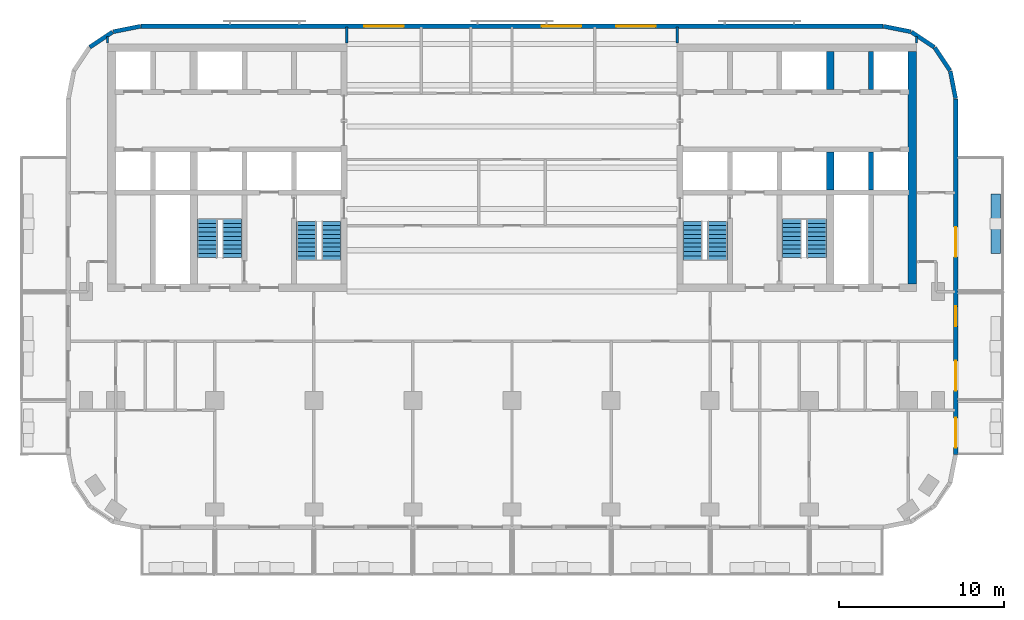
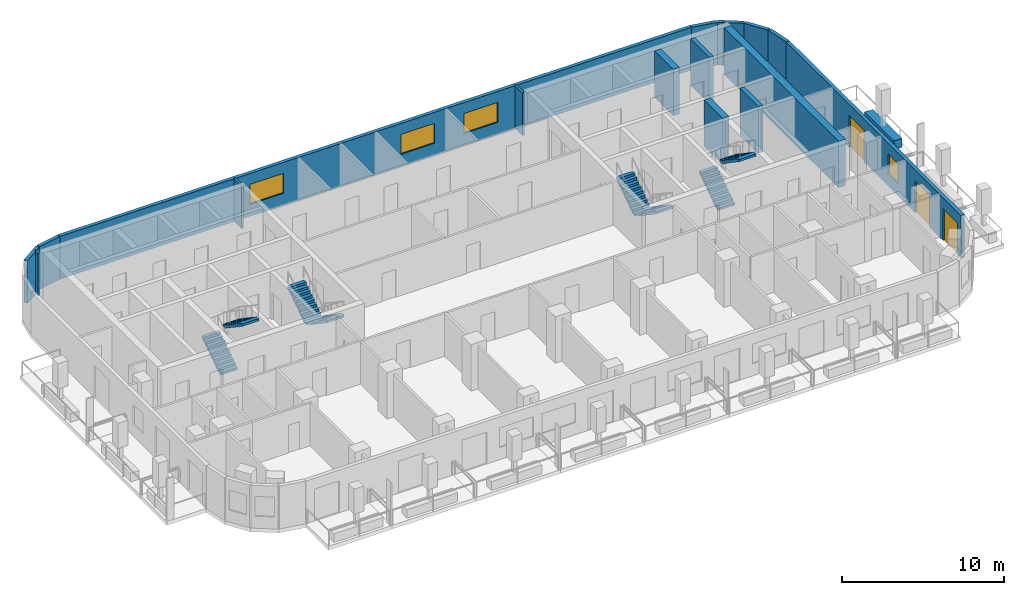
# One storey, part 7 of 11: 18 walls, 8 stair flights, 4 windows, 3 doors, 7 openings, 4 elements without a shape of their own.
"""IFC4 building model written with IfcOpenShell, lengths in metres."""

from ifc_helpers import new_model, si_unit, direction, frame, frame_2d, origin, place, context, subcontext, project, spatial, polyline, rectangle, outline, extrude, material, layer, layer_set, type_object, element, fill, aggregate, save


model = new_model("IFC4")

# Units and contexts
model_context = context("Model", 3, precision=1e-05, world=origin(), true_north=direction((0.0, 1.0)))
body_context = subcontext(model_context, "Body", "Model", "MODEL_VIEW")
ifc_project = project(units=[si_unit("LENGTHUNIT", "METRE"), si_unit("AREAUNIT", "SQUARE_METRE"), si_unit("VOLUMEUNIT", "CUBIC_METRE"), si_unit("PLANEANGLEUNIT", "RADIAN"), si_unit("MASSUNIT", "GRAM", prefix="KILO")], contexts=[model_context])

# Site, building, storey
site_placement = place(None, origin())
site = spatial("IfcSite", under=ifc_project, at=site_placement, CompositionType="ELEMENT")
building_placement = place(site_placement, origin())
building = spatial("IfcBuilding", under=site, at=building_placement, Name="Torana Hotel and Residences", CompositionType="ELEMENT")
storey_placement = place(building_placement, frame((0.0, 0.0, 194.10009765625)))
storey = spatial("IfcBuildingStorey", under=building, at=storey_placement, Name="L50", CompositionType="ELEMENT", Elevation=194.10009765625)

# Walls
ifc_material_1 = material(Name="Concrete C70/85", Category="concrete")
ifc_layer_1 = layer(ifc_material_1, 0.300048828125)
ifc_layer_set_1 = layer_set([ifc_layer_1], Name="CORE WALL 300 C70/85")
wall_type_1 = type_object("IfcWallType", Name="CORE WALL 300 C70/85", PredefinedType="SHEAR", material=ifc_layer_set_1)
for number, where, z_axis, x_axis, name in (
    (1, (21.75, -2.75, 0.0), (0.0, 0.0, 1.0), (0.0, 1.0, 0.0), "Core wall E mm-N"),
    (2, (21.75, -8.85009765625, 0.0), (0.0, 0.0, 1.0), (0.0, 1.0, 0.0), "Core wall E mm-S"),
):
    element("IfcWall", number, at=place(storey_placement, frame(where, z_axis=z_axis, x_axis=x_axis)), inside=storey, type_object=wall_type_1, Name=name, PredefinedType="SHEAR", context=body_context, shape_type="SweptSolid", body=[
        extrude(rectangle(XDim=2.300048828125, YDim=0.300048828125, at=frame_2d((1.14990234375, 0.0))), origin(), (0.0, 0.0, 1.0), 3.5),
    ])
ifc_material_2 = material(Name="Concrete C70/85", Category="concrete")
ifc_layer_2 = layer(ifc_material_2, 0.449951171875)
ifc_layer_set_2 = layer_set([ifc_layer_2], Name="CORE WALL 450 C70/85")
wall_type_2 = type_object("IfcWallType", Name="CORE WALL 450 C70/85", PredefinedType="SHEAR", material=ifc_layer_set_2)
for number, where, z_axis, x_axis, name in (
    (3, (19.27490234375, -2.75, 0.0), (0.0, 0.0, 1.0), (0.0, 1.0, 0.0), "Core wall E hm-N"),
    (4, (19.27490234375, -8.85009765625, 0.0), (0.0, 0.0, 1.0), (0.0, 1.0, 0.0), "Core wall E hm-S"),
):
    element("IfcWall", number, at=place(storey_placement, frame(where, z_axis=z_axis, x_axis=x_axis)), inside=storey, type_object=wall_type_2, Name=name, PredefinedType="SHEAR", context=body_context, shape_type="SweptSolid", body=[
        extrude(rectangle(XDim=2.300048828125, YDim=0.449951171875, at=frame_2d((1.14990234375, 0.0))), origin(), (0.0, 0.0, 1.0), 3.5),
    ])
ifc_material_3 = material(Name="Concrete C70/85", Category="concrete")
ifc_layer_3 = layer(ifc_material_3, 0.5)
ifc_layer_set_3 = layer_set([ifc_layer_3], Name="CORE WALL 500 C70/85")
wall_type_3 = type_object("IfcWallType", Name="CORE WALL 500 C70/85", PredefinedType="SHEAR", material=ifc_layer_set_3)
wall_1_placement = place(storey_placement, frame((24.25, -14.550048828125, 0.0), z_axis=(0.0, 0.0, 1.0), x_axis=(0.0, 1.0, 0.0)))
element("IfcWall", 5, at=wall_1_placement, inside=storey, type_object=wall_type_3, Name="Core wall E outer", PredefinedType="SHEAR", context=body_context, shape_type="SweptSolid", body=[
    extrude(rectangle(XDim=14.10009765625, YDim=0.5, at=frame_2d((7.050048828125, 0.0))), origin(), (0.0, 0.0, 1.0), 3.5),
])
ifc_material_4 = material(Name="Black aluminium composite panel", Category="aluminium")
ifc_layer_4 = layer(ifc_material_4, 0.00390625, Name="Cladding", Category="cladding")
ifc_material_5 = material(Name="Ventilated air cavity")
ifc_layer_5 = layer(ifc_material_5, 0.0400390625, Name="Ventilated cavity", Category="cavity")
ifc_material_6 = material(Name="Mineral wool insulation")
ifc_layer_6 = layer(ifc_material_6, 0.090087890625, Name="Insulation", Category="insulation")
ifc_material_7 = material(Name="Steel S280GD", Category="steel")
ifc_layer_7 = layer(ifc_material_7, 0.092041015625, Name="Steel stud frame", Category="structure")
ifc_material_8 = material(Name="Fire rated plasterboard")
ifc_layer_8 = layer(ifc_material_8, 0.011962890625, Name="Inner board", Category="finish")
ifc_layer_9 = layer(ifc_material_8, 0.011962890625, Name="Second board", Category="finish")
ifc_layer_set_4 = layer_set([ifc_layer_4, ifc_layer_5, ifc_layer_6, ifc_layer_7, ifc_layer_8, ifc_layer_9], Name="EW1 EXTERNAL WALL BLACK METAL CLAD 250")
wall_type_4 = type_object("IfcWallType", Name="EW1 EXTERNAL WALL BLACK METAL CLAD 250", PredefinedType="SOLIDWALL", material=ifc_layer_set_4)
wall_2_placement = place(storey_placement, frame((26.87255859375, -3.30029296875, 0.0), z_axis=(0.0, 0.0, 1.0), x_axis=(-0.194999110559, 0.980803419081, 0.0)))
element("IfcWall", 6, at=wall_2_placement, inside=storey, type_object=wall_type_4, Name="External wall L50 e0.0", PredefinedType="SOLIDWALL", context=body_context, shape_type="SweptSolid", body=[
    extrude(rectangle(XDim=1.681396484375, YDim=0.25, at=frame_2d((0.8408203125, 0.0))), origin(), (0.0, 0.0, 1.0), 3.219970703125),
])
for number, where, z_axis, x_axis, name in (
    (7, (26.52587890625, -1.60595703125, 0.0), (0.0, 0.0, 1.0), (-0.55555029066, 0.831482937015, 0.0), "External wall L50 e0.1"),
    (8, (25.5712890625, -0.1943359375, 0.0), (0.0, 0.0, 1.0), (-0.831482937015, 0.55555029066, 0.0), "External wall L50 e0.2"),
):
    element("IfcWall", number, at=place(storey_placement, frame(where, z_axis=z_axis, x_axis=x_axis)), inside=storey, type_object=wall_type_4, Name=name, PredefinedType="SOLIDWALL", context=body_context, shape_type="SweptSolid", body=[
        extrude(rectangle(XDim=1.65625, YDim=0.25, at=frame_2d((0.828125, 0.0))), origin(), (0.0, 0.0, 1.0), 3.219970703125),
    ])
for number, where, z_axis, x_axis, name in (
    (9, (24.14892578125, 0.74462890625, 0.0), (0.0, 0.0, 1.0), (-0.980803419081, 0.194999110559, 0.0), "External wall L50 e0.3"),
    (10, (-22.499755859375, 1.072509765625, 0.0), (0.0, 0.0, 1.0), (-0.980803419081, -0.194999110559, 0.0), "External wall L50 e0.5"),
):
    element("IfcWall", number, at=place(storey_placement, frame(where, z_axis=z_axis, x_axis=x_axis)), inside=storey, type_object=wall_type_4, Name=name, PredefinedType="SOLIDWALL", context=body_context, shape_type="SweptSolid", body=[
        extrude(rectangle(XDim=1.681396484375, YDim=0.25, at=frame_2d((0.8408203125, 0.0))), origin(), (0.0, 0.0, 1.0), 3.219970703125),
    ])
wall_3_placement = place(storey_placement, frame((-24.194091796875, 0.725830078125, 0.0), z_axis=(0.0, 0.0, 1.0), x_axis=(-0.831482937015, -0.55555029066, 0.0)))
element("IfcWall", 11, at=wall_3_placement, inside=storey, type_object=wall_type_4, Name="External wall L50 e0.6", PredefinedType="SOLIDWALL", context=body_context, shape_type="SweptSolid", body=[
    extrude(rectangle(XDim=1.65625, YDim=0.25, at=frame_2d((0.828125, 0.0))), origin(), (0.0, 0.0, 1.0), 3.219970703125),
])

# Wall, openings, doors, window
wall_4_placement = place(storey_placement, frame((26.875, -24.87548828125, 0.0), z_axis=(0.0, 0.0, 1.0), x_axis=(0.0, 1.0, 0.0)))
wall_4 = element("IfcWall", 12, at=wall_4_placement, inside=storey, type_object=wall_type_4, Name="External wall L50 e0.19", PredefinedType="SOLIDWALL", context=body_context, shape_type="SweptSolid", body=[
    extrude(rectangle(XDim=21.55078125, YDim=0.25, at=frame_2d((10.775390625, 0.0))), origin(), (0.0, 0.0, 1.0), 3.219970703125),
])
opening_1_placement = place(wall_4_placement, frame((0.42529296875, 0.0, 0.0)))
opening_1 = element("IfcOpeningElement", 13, at=opening_1_placement, cuts=wall_4, Name="Opening L50-E09", PredefinedType="OPENING", context=body_context, shape_type="SweptSolid", body=[
    extrude(rectangle(XDim=1.800048828125, YDim=2.39990234375, at=frame_2d((0.89990234375, 1.199951171875))), frame((0.0, 0.135009765625, 0.0), z_axis=(0.0, -1.0, 0.0), x_axis=(1.0, 0.0, 0.0)), (0.0, 0.0, 1.0), 0.27001953125),
])
opening_2_placement = place(wall_4_placement, frame((3.87548828125, 0.0, 0.0)))
opening_2 = element("IfcOpeningElement", 14, at=opening_2_placement, cuts=wall_4, Name="Opening L50-E10", PredefinedType="OPENING", context=body_context, shape_type="SweptSolid", body=[
    extrude(rectangle(XDim=1.800048828125, YDim=2.39990234375, at=frame_2d((0.89990234375, 1.199951171875))), frame((0.0, 0.135009765625, 0.0), z_axis=(0.0, -1.0, 0.0), x_axis=(1.0, 0.0, 0.0)), (0.0, 0.0, 1.0), 0.27001953125),
])
opening_3_placement = place(wall_4_placement, frame((7.775390625, 0.0, 0.89990234375)))
opening_3 = element("IfcOpeningElement", 15, at=opening_3_placement, cuts=wall_4, Name="Opening W5", PredefinedType="OPENING", context=body_context, shape_type="SweptSolid", body=[
    extrude(rectangle(XDim=1.199951171875, YDim=1.5, at=frame_2d((0.60009765625, 0.75))), frame((0.0, 0.135009765625, 0.0), z_axis=(0.0, -1.0, 0.0), x_axis=(1.0, 0.0, 0.0)), (0.0, 0.0, 1.0), 0.27001953125),
])
opening_4_placement = place(wall_4_placement, frame((11.975341796875, 0.0, 0.0)))
opening_4 = element("IfcOpeningElement", 16, at=opening_4_placement, cuts=wall_4, Name="Opening L50-E11", PredefinedType="OPENING", context=body_context, shape_type="SweptSolid", body=[
    extrude(rectangle(XDim=1.800048828125, YDim=2.39990234375, at=frame_2d((0.89990234375, 1.199951171875))), frame((0.0, 0.135009765625, 0.0), z_axis=(0.0, -1.0, 0.0), x_axis=(1.0, 0.0, 0.0)), (0.0, 0.0, 1.0), 0.27001953125),
])
ifc_material_9 = material(Name="Dark glass in black aluminium frame", Category="aluminium")
door_type = type_object("IfcDoorType", Name="DB1 BALCONY DOOR 1800x2400", OperationType="DOUBLE_DOOR_SINGLE_SWING", PredefinedType="DOOR", material=ifc_material_9)
door_1_placement = place(opening_1_placement, origin())
door_1 = element("IfcDoor", 17, at=door_1_placement, inside=storey, type_object=door_type, Name="Balcony door L50", OperationType="DOUBLE_DOOR_SINGLE_SWING", OverallHeight=2.39990234375, OverallWidth=1.800048828125, PredefinedType="DOOR", context=body_context, shape_type="SweptSolid", body=[
    extrude(rectangle(XDim=1.800048828125, YDim=2.39990234375, at=frame_2d((0.89990234375, 1.199951171875))), frame((0.0, 0.02490234375, 0.0), z_axis=(0.0, -1.0, 0.0), x_axis=(1.0, 0.0, 0.0)), (0.0, 0.0, 1.0), 0.050048828125),
])
fill(opening_1, door_1)
door_2_placement = place(opening_2_placement, origin())
door_2 = element("IfcDoor", 18, at=door_2_placement, inside=storey, type_object=door_type, Name="Balcony door L50", OperationType="DOUBLE_DOOR_SINGLE_SWING", OverallHeight=2.39990234375, OverallWidth=1.800048828125, PredefinedType="DOOR", context=body_context, shape_type="SweptSolid", body=[
    extrude(rectangle(XDim=1.800048828125, YDim=2.39990234375, at=frame_2d((0.89990234375, 1.199951171875))), frame((0.0, 0.02490234375, 0.0), z_axis=(0.0, -1.0, 0.0), x_axis=(1.0, 0.0, 0.0)), (0.0, 0.0, 1.0), 0.050048828125),
])
fill(opening_2, door_2)
door_3_placement = place(opening_4_placement, origin())
door_3 = element("IfcDoor", 19, at=door_3_placement, inside=storey, type_object=door_type, Name="Balcony door L50", OperationType="DOUBLE_DOOR_SINGLE_SWING", OverallHeight=2.39990234375, OverallWidth=1.800048828125, PredefinedType="DOOR", context=body_context, shape_type="SweptSolid", body=[
    extrude(rectangle(XDim=1.800048828125, YDim=2.39990234375, at=frame_2d((0.89990234375, 1.199951171875))), frame((0.0, 0.02490234375, 0.0), z_axis=(0.0, -1.0, 0.0), x_axis=(1.0, 0.0, 0.0)), (0.0, 0.0, 1.0), 0.050048828125),
])
fill(opening_4, door_3)
ifc_material_10 = material(Name="Dark glass in black aluminium frame", Category="aluminium")
window_type_1 = type_object("IfcWindowType", Name="W5 CORNER FACET WINDOW 1200x1500", PartitioningType="SINGLE_PANEL", PredefinedType="WINDOW", material=ifc_material_10)
window_1_placement = place(opening_3_placement, origin())
window_1 = element("IfcWindow", 20, at=window_1_placement, inside=storey, type_object=window_type_1, Name="Window L50", OverallHeight=1.5, OverallWidth=1.199951171875, PartitioningType="SINGLE_PANEL", PredefinedType="WINDOW", context=body_context, shape_type="SweptSolid", body=[
    extrude(rectangle(XDim=1.199951171875, YDim=1.5, at=frame_2d((0.60009765625, 0.75))), frame((0.0, 0.030029296875, 0.0), z_axis=(0.0, -1.0, 0.0), x_axis=(1.0, 0.0, 0.0)), (0.0, 0.0, 1.0), 0.06005859375),
])
fill(opening_3, window_1)

# Wall, openings, windows
ifc_material_11 = material(Name="Concrete C40/50 precast", Category="concrete")
ifc_layer_10 = layer(ifc_material_11, 0.10009765625, Name="Perforated block", Category="cladding")
ifc_material_12 = material(Name="Air cavity")
ifc_layer_11 = layer(ifc_material_12, 0.030029296875, Name="Cavity", Category="cavity")
ifc_material_13 = material(Name="Concrete C40/50", Category="concrete")
ifc_layer_12 = layer(ifc_material_13, 0.10009765625, Name="Wall", Category="structure")
ifc_material_14 = material(Name="Plaster and paint")
ifc_layer_13 = layer(ifc_material_14, 0.02001953125, Name="Inner finish", Category="finish")
ifc_layer_set_5 = layer_set([ifc_layer_10, ifc_layer_11, ifc_layer_12, ifc_layer_13], Name="EW2 PERFORATED BLOCK SCREEN WALL 250")
wall_type_5 = type_object("IfcWallType", Name="EW2 PERFORATED BLOCK SCREEN WALL 250", PredefinedType="SOLIDWALL", material=ifc_layer_set_5)
wall_5_placement = place(storey_placement, frame((22.475341796875, 1.074951171875, 0.0), z_axis=(0.0, 0.0, 1.0), x_axis=(-1.0, 0.0, 0.0)))
wall_5 = element("IfcWall", 21, at=wall_5_placement, inside=storey, type_object=wall_type_5, Name="External wall L50 e0.4", PredefinedType="SOLIDWALL", context=body_context, shape_type="SweptSolid", body=[
    extrude(rectangle(XDim=44.95068359375, YDim=0.25, at=frame_2d((22.475341796875, 0.0))), origin(), (0.0, 0.0, 1.0), 3.219970703125),
])
opening_5_placement = place(wall_5_placement, frame((13.775390625, 0.0, 0.89990234375)))
opening_5 = element("IfcOpeningElement", 22, at=opening_5_placement, cuts=wall_5, Name="Opening W3", PredefinedType="OPENING", context=body_context, shape_type="SweptSolid", body=[
    extrude(rectangle(XDim=2.39990234375, YDim=1.5, at=frame_2d((1.199951171875, 0.75))), frame((0.0, 0.135009765625, 0.0), z_axis=(0.0, -1.0, 0.0), x_axis=(1.0, 0.0, 0.0)), (0.0, 0.0, 1.0), 0.27001953125),
])
opening_6_placement = place(wall_5_placement, frame((18.275390625, 0.0, 0.89990234375)))
opening_6 = element("IfcOpeningElement", 23, at=opening_6_placement, cuts=wall_5, Name="Opening W3", PredefinedType="OPENING", context=body_context, shape_type="SweptSolid", body=[
    extrude(rectangle(XDim=2.39990234375, YDim=1.5, at=frame_2d((1.199951171875, 0.75))), frame((0.0, 0.135009765625, 0.0), z_axis=(0.0, -1.0, 0.0), x_axis=(1.0, 0.0, 0.0)), (0.0, 0.0, 1.0), 0.27001953125),
])
opening_7_placement = place(wall_5_placement, frame((29.025390625, 0.0, 0.89990234375)))
opening_7 = element("IfcOpeningElement", 24, at=opening_7_placement, cuts=wall_5, Name="Opening W3", PredefinedType="OPENING", context=body_context, shape_type="SweptSolid", body=[
    extrude(rectangle(XDim=2.39990234375, YDim=1.5, at=frame_2d((1.199951171875, 0.75))), frame((0.0, 0.135009765625, 0.0), z_axis=(0.0, -1.0, 0.0), x_axis=(1.0, 0.0, 0.0)), (0.0, 0.0, 1.0), 0.27001953125),
])
ifc_material_15 = material(Name="Dark glass in black aluminium frame", Category="aluminium")
window_type_2 = type_object("IfcWindowType", Name="W3 RESIDENCE WINDOW 2400x1500", PartitioningType="SINGLE_PANEL", PredefinedType="WINDOW", material=ifc_material_15)
window_2_placement = place(opening_5_placement, origin())
window_2 = element("IfcWindow", 25, at=window_2_placement, inside=storey, type_object=window_type_2, Name="Window L50", OverallHeight=1.5, OverallWidth=2.39990234375, PartitioningType="SINGLE_PANEL", PredefinedType="WINDOW", context=body_context, shape_type="SweptSolid", body=[
    extrude(rectangle(XDim=2.39990234375, YDim=1.5, at=frame_2d((1.199951171875, 0.75))), frame((0.0, 0.030029296875, 0.0), z_axis=(0.0, -1.0, 0.0), x_axis=(1.0, 0.0, 0.0)), (0.0, 0.0, 1.0), 0.06005859375),
])
fill(opening_5, window_2)
window_3_placement = place(opening_6_placement, origin())
window_3 = element("IfcWindow", 26, at=window_3_placement, inside=storey, type_object=window_type_2, Name="Window L50", OverallHeight=1.5, OverallWidth=2.39990234375, PartitioningType="SINGLE_PANEL", PredefinedType="WINDOW", context=body_context, shape_type="SweptSolid", body=[
    extrude(rectangle(XDim=2.39990234375, YDim=1.5, at=frame_2d((1.199951171875, 0.75))), frame((0.0, 0.030029296875, 0.0), z_axis=(0.0, -1.0, 0.0), x_axis=(1.0, 0.0, 0.0)), (0.0, 0.0, 1.0), 0.06005859375),
])
fill(opening_6, window_3)
window_4_placement = place(opening_7_placement, origin())
window_4 = element("IfcWindow", 27, at=window_4_placement, inside=storey, type_object=window_type_2, Name="Window L50", OverallHeight=1.5, OverallWidth=2.39990234375, PartitioningType="SINGLE_PANEL", PredefinedType="WINDOW", context=body_context, shape_type="SweptSolid", body=[
    extrude(rectangle(XDim=2.39990234375, YDim=1.5, at=frame_2d((1.199951171875, 0.75))), frame((0.0, 0.030029296875, 0.0), z_axis=(0.0, -1.0, 0.0), x_axis=(1.0, 0.0, 0.0)), (0.0, 0.0, 1.0), 0.06005859375),
])
fill(opening_7, window_4)

# Walls
ifc_material_16 = material(Name="Gypsum plasterboard")
ifc_layer_14 = layer(ifc_material_16, 0.012451171875, Name="Plasterboard", Category="finish")
ifc_layer_15 = layer(ifc_material_16, 0.012451171875, Name="Plasterboard", Category="finish")
ifc_layer_16 = layer(ifc_material_7, 0.10009765625, Name="Steel studs with mineral wool", Category="insulation")
ifc_layer_17 = layer(ifc_material_16, 0.012451171875, Name="Plasterboard", Category="finish")
ifc_layer_18 = layer(ifc_material_16, 0.012451171875, Name="Plasterboard", Category="finish")
ifc_layer_set_6 = layer_set([ifc_layer_14, ifc_layer_15, ifc_layer_16, ifc_layer_17, ifc_layer_18], Name="PARTITION 150 PLASTERBOARD")
wall_type_6 = type_object("IfcWallType", Name="PARTITION 150 PLASTERBOARD", PredefinedType="PARTITIONING", material=ifc_layer_set_6)
wall_6_placement = place(storey_placement, frame((24.5, 0.050048828125, 0.0), z_axis=(0.0, 0.0, 1.0), x_axis=(0.0, 1.0, 0.0)))
element("IfcWall", 28, at=wall_6_placement, inside=storey, type_object=wall_type_6, Name="Partition L50", PredefinedType="PARTITIONING", context=body_context, shape_type="SweptSolid", body=[
    extrude(rectangle(XDim=0.4052734375, YDim=0.14990234375, at=frame_2d((0.20263671875, 0.0))), origin(), (0.0, 0.0, 1.0), 3.219970703125),
])
for number, where, z_axis, x_axis, name in (
    (29, (10.0, 0.050048828125, 0.0), (0.0, 0.0, 1.0), (0.0, 1.0, 0.0), "Partition L50"),
    (30, (-10.0, 0.050048828125, 0.0), (0.0, 0.0, 1.0), (0.0, 1.0, 0.0), "Partition L50"),
):
    element("IfcWall", number, at=place(storey_placement, frame(where, z_axis=z_axis, x_axis=x_axis)), inside=storey, type_object=wall_type_6, Name=name, PredefinedType="PARTITIONING", context=body_context, shape_type="SweptSolid", body=[
        extrude(rectangle(XDim=0.969970703125, YDim=0.14990234375, at=frame_2d((0.48486328125, 0.0))), origin(), (0.0, 0.0, 1.0), 3.219970703125),
    ])
wall_7_placement = place(storey_placement, frame((-24.5, 0.050048828125, 0.0), z_axis=(0.0, 0.0, 1.0), x_axis=(0.0, 1.0, 0.0)))
element("IfcWall", 31, at=wall_7_placement, inside=storey, type_object=wall_type_6, Name="Partition L50", PredefinedType="PARTITIONING", context=body_context, shape_type="SweptSolid", body=[
    extrude(rectangle(XDim=0.4052734375, YDim=0.14990234375, at=frame_2d((0.20263671875, 0.0))), origin(), (0.0, 0.0, 1.0), 3.219970703125),
])
ifc_layer_19 = layer(ifc_material_11, 0.10009765625, Name="Planter shell", Category="structure")
ifc_material_17 = material(Name="Root resistant membrane")
ifc_layer_20 = layer(ifc_material_17, 0.00390625, Name="Waterproofing membrane", Category="membrane")
ifc_material_18 = material(Name="Drainage board with filter fleece")
ifc_layer_21 = layer(ifc_material_18, 0.02001953125, Name="Drainage board", Category="drainage")
ifc_material_19 = material(Name="Growing medium")
ifc_layer_22 = layer(ifc_material_19, 0.47607421875, Name="Planting substrate", Category="soil")
ifc_layer_set_7 = layer_set([ifc_layer_19, ifc_layer_20, ifc_layer_21, ifc_layer_22], Name="PL1 BALCONY PLANTER 600")
wall_type_7 = type_object("IfcWallType", Name="PL1 BALCONY PLANTER 600", PredefinedType="USERDEFINED", material=ifc_layer_set_7)
wall_8_placement = place(storey_placement, frame((29.300048828125, -9.10009765625, 0.0), z_axis=(0.0, 0.0, 1.0), x_axis=(0.0, -1.0, 0.0)))
element("IfcWall", 32, at=wall_8_placement, inside=storey, type_object=wall_type_7, Name="Planter 14", ObjectType="PLANTER", PredefinedType="USERDEFINED", context=body_context, shape_type="SweptSolid", body=[
    extrude(rectangle(XDim=3.599853515625, YDim=0.60009765625, at=frame_2d((1.7998046875, 0.0))), origin(), (0.0, 0.0, 1.0), 0.64990234375),
])

# Stair, stair flights
ifc_material_20 = material(Name="Concrete C40/50 precast", Category="concrete")
stair_type_1 = type_object("IfcStairType", Name="STAIR ST1 HALF TURN 1200", PredefinedType="HALF_TURN_STAIR", material=ifc_material_20)
stair_1_placement = place(storey_placement, origin())
stair_1 = element("IfcStair", 33, at=stair_1_placement, inside=storey, type_object=stair_type_1, Name="Stair ST1 L50", PredefinedType="HALF_TURN_STAIR")
ifc_material_21 = material(Name="Concrete C40/50 precast", Category="concrete")
stair_flight_type = type_object("IfcStairFlightType", Name="STAIR FLIGHT 1200 PRECAST", PredefinedType="STRAIGHT", material=ifc_material_21)
stair_flight_1_placement = place(storey_placement, frame((-10.949951171875, -10.75, 0.0), z_axis=(0.0, 0.0, 1.0), x_axis=(0.0, -1.0, 0.0)))
stair_flight_1 = element("IfcStairFlight", 34, at=stair_flight_1_placement, type_object=stair_flight_type, Name="ST1 flight 1", NumberOfRisers=10, NumberOfTreads=9, PredefinedType="STRAIGHT", RiserHeight=0.175, TreadLength=0.26, context=body_context, shape_type="SweptSolid", body=[
    extrude(outline(polyline([(0.0, 0.0), (0.0, 0.175048828125), (0.260009765625, 0.175048828125), (0.260009765625, 0.35009765625), (0.52001953125, 0.35009765625), (0.52001953125, 0.52490234375), (0.780029296875, 0.52490234375), (0.780029296875, 0.699951171875), (1.0400390625, 0.699951171875), (1.0400390625, 0.875), (1.300048828125, 0.875), (1.300048828125, 1.050048828125), (1.56005859375, 1.050048828125), (1.56005859375, 1.22509765625), (1.820068359375, 1.22509765625), (1.820068359375, 1.39990234375), (2.080078125, 1.39990234375), (2.080078125, 1.574951171875), (2.340087890625, 1.574951171875), (2.340087890625, 1.75), (2.340087890625, 1.394287109375), (0.2685546875, 0.0), (0.0, 0.0)])), frame((0.0, 0.60009765625, 0.0), z_axis=(0.0, -1.0, 0.0), x_axis=(1.0, 0.0, 0.0)), (0.0, 0.0, 1.0), 1.199951171875),
])
stair_flight_2_placement = place(storey_placement, frame((-12.449951171875, -13.090087890625, 1.75), z_axis=(0.0, 0.0, 1.0), x_axis=(0.0, 1.0, 0.0)))
stair_flight_2 = element("IfcStairFlight", 35, at=stair_flight_2_placement, type_object=stair_flight_type, Name="ST1 flight 2", NumberOfRisers=10, NumberOfTreads=9, PredefinedType="STRAIGHT", RiserHeight=0.175, TreadLength=0.26, context=body_context, shape_type="SweptSolid", body=[
    extrude(outline(polyline([(0.0, 0.0), (0.0, 0.175048828125), (0.260009765625, 0.175048828125), (0.260009765625, 0.35009765625), (0.52001953125, 0.35009765625), (0.52001953125, 0.52490234375), (0.780029296875, 0.52490234375), (0.780029296875, 0.699951171875), (1.0400390625, 0.699951171875), (1.0400390625, 0.875), (1.300048828125, 0.875), (1.300048828125, 1.050048828125), (1.56005859375, 1.050048828125), (1.56005859375, 1.22509765625), (1.820068359375, 1.22509765625), (1.820068359375, 1.39990234375), (2.080078125, 1.39990234375), (2.080078125, 1.574951171875), (2.340087890625, 1.574951171875), (2.340087890625, 1.75), (2.340087890625, 1.394287109375), (0.2685546875, 0.0), (0.0, 0.0)])), frame((0.0, 0.60009765625, 0.0), z_axis=(0.0, -1.0, 0.0), x_axis=(1.0, 0.0, 0.0)), (0.0, 0.0, 1.0), 1.199951171875),
])
aggregate(stair_1, [stair_flight_1, stair_flight_2])

ifc_material_22 = material(Name="Concrete C40/50 precast", Category="concrete")
stair_type_2 = type_object("IfcStairType", Name="STAIR ST2 HALF TURN 1200", PredefinedType="HALF_TURN_STAIR", material=ifc_material_22)
stair_2_placement = place(storey_placement, origin())
stair_2 = element("IfcStair", 36, at=stair_2_placement, inside=storey, type_object=stair_type_2, Name="Stair ST2 L50", PredefinedType="HALF_TURN_STAIR")
stair_flight_3_placement = place(storey_placement, frame((-18.449951171875, -12.949951171875, 0.0), z_axis=(0.0, 0.0, 1.0), x_axis=(0.0, 1.0, 0.0)))
stair_flight_3 = element("IfcStairFlight", 37, at=stair_flight_3_placement, type_object=stair_flight_type, Name="ST2 flight 1", NumberOfRisers=10, NumberOfTreads=9, PredefinedType="STRAIGHT", RiserHeight=0.175, TreadLength=0.26, context=body_context, shape_type="SweptSolid", body=[
    extrude(outline(polyline([(0.0, 0.0), (0.0, 0.175048828125), (0.260009765625, 0.175048828125), (0.260009765625, 0.35009765625), (0.52001953125, 0.35009765625), (0.52001953125, 0.52490234375), (0.780029296875, 0.52490234375), (0.780029296875, 0.699951171875), (1.0400390625, 0.699951171875), (1.0400390625, 0.875), (1.300048828125, 0.875), (1.300048828125, 1.050048828125), (1.56005859375, 1.050048828125), (1.56005859375, 1.22509765625), (1.820068359375, 1.22509765625), (1.820068359375, 1.39990234375), (2.080078125, 1.39990234375), (2.080078125, 1.574951171875), (2.340087890625, 1.574951171875), (2.340087890625, 1.75), (2.340087890625, 1.394287109375), (0.2685546875, 0.0), (0.0, 0.0)])), frame((0.0, 0.60009765625, 0.0), z_axis=(0.0, -1.0, 0.0), x_axis=(1.0, 0.0, 0.0)), (0.0, 0.0, 1.0), 1.199951171875),
])
stair_flight_4_placement = place(storey_placement, frame((-16.949951171875, -10.610107421875, 1.75), z_axis=(0.0, 0.0, 1.0), x_axis=(0.0, -1.0, 0.0)))
stair_flight_4 = element("IfcStairFlight", 38, at=stair_flight_4_placement, type_object=stair_flight_type, Name="ST2 flight 2", NumberOfRisers=10, NumberOfTreads=9, PredefinedType="STRAIGHT", RiserHeight=0.175, TreadLength=0.26, context=body_context, shape_type="SweptSolid", body=[
    extrude(outline(polyline([(0.0, 0.0), (0.0, 0.175048828125), (0.260009765625, 0.175048828125), (0.260009765625, 0.35009765625), (0.52001953125, 0.35009765625), (0.52001953125, 0.52490234375), (0.780029296875, 0.52490234375), (0.780029296875, 0.699951171875), (1.0400390625, 0.699951171875), (1.0400390625, 0.875), (1.300048828125, 0.875), (1.300048828125, 1.050048828125), (1.56005859375, 1.050048828125), (1.56005859375, 1.22509765625), (1.820068359375, 1.22509765625), (1.820068359375, 1.39990234375), (2.080078125, 1.39990234375), (2.080078125, 1.574951171875), (2.340087890625, 1.574951171875), (2.340087890625, 1.75), (2.340087890625, 1.394287109375), (0.2685546875, 0.0), (0.0, 0.0)])), frame((0.0, 0.60009765625, 0.0), z_axis=(0.0, -1.0, 0.0), x_axis=(1.0, 0.0, 0.0)), (0.0, 0.0, 1.0), 1.199951171875),
])
aggregate(stair_2, [stair_flight_3, stair_flight_4])

ifc_material_23 = material(Name="Concrete C40/50 precast", Category="concrete")
stair_type_3 = type_object("IfcStairType", Name="STAIR ST3 HALF TURN 1200", PredefinedType="HALF_TURN_STAIR", material=ifc_material_23)
stair_3_placement = place(storey_placement, origin())
stair_3 = element("IfcStair", 39, at=stair_3_placement, inside=storey, type_object=stair_type_3, Name="Stair ST3 L50", PredefinedType="HALF_TURN_STAIR")
stair_flight_5_placement = place(storey_placement, frame((12.449951171875, -10.75, 0.0), z_axis=(0.0, 0.0, 1.0), x_axis=(0.0, -1.0, 0.0)))
stair_flight_5 = element("IfcStairFlight", 40, at=stair_flight_5_placement, type_object=stair_flight_type, Name="ST3 flight 1", NumberOfRisers=10, NumberOfTreads=9, PredefinedType="STRAIGHT", RiserHeight=0.175, TreadLength=0.26, context=body_context, shape_type="SweptSolid", body=[
    extrude(outline(polyline([(0.0, 0.0), (0.0, 0.175048828125), (0.260009765625, 0.175048828125), (0.260009765625, 0.35009765625), (0.52001953125, 0.35009765625), (0.52001953125, 0.52490234375), (0.780029296875, 0.52490234375), (0.780029296875, 0.699951171875), (1.0400390625, 0.699951171875), (1.0400390625, 0.875), (1.300048828125, 0.875), (1.300048828125, 1.050048828125), (1.56005859375, 1.050048828125), (1.56005859375, 1.22509765625), (1.820068359375, 1.22509765625), (1.820068359375, 1.39990234375), (2.080078125, 1.39990234375), (2.080078125, 1.574951171875), (2.340087890625, 1.574951171875), (2.340087890625, 1.75), (2.340087890625, 1.394287109375), (0.2685546875, 0.0), (0.0, 0.0)])), frame((0.0, 0.60009765625, 0.0), z_axis=(0.0, -1.0, 0.0), x_axis=(1.0, 0.0, 0.0)), (0.0, 0.0, 1.0), 1.199951171875),
])
stair_flight_6_placement = place(storey_placement, frame((10.949951171875, -13.090087890625, 1.75), z_axis=(0.0, 0.0, 1.0), x_axis=(0.0, 1.0, 0.0)))
stair_flight_6 = element("IfcStairFlight", 41, at=stair_flight_6_placement, type_object=stair_flight_type, Name="ST3 flight 2", NumberOfRisers=10, NumberOfTreads=9, PredefinedType="STRAIGHT", RiserHeight=0.175, TreadLength=0.26, context=body_context, shape_type="SweptSolid", body=[
    extrude(outline(polyline([(0.0, 0.0), (0.0, 0.175048828125), (0.260009765625, 0.175048828125), (0.260009765625, 0.35009765625), (0.52001953125, 0.35009765625), (0.52001953125, 0.52490234375), (0.780029296875, 0.52490234375), (0.780029296875, 0.699951171875), (1.0400390625, 0.699951171875), (1.0400390625, 0.875), (1.300048828125, 0.875), (1.300048828125, 1.050048828125), (1.56005859375, 1.050048828125), (1.56005859375, 1.22509765625), (1.820068359375, 1.22509765625), (1.820068359375, 1.39990234375), (2.080078125, 1.39990234375), (2.080078125, 1.574951171875), (2.340087890625, 1.574951171875), (2.340087890625, 1.75), (2.340087890625, 1.394287109375), (0.2685546875, 0.0), (0.0, 0.0)])), frame((0.0, 0.60009765625, 0.0), z_axis=(0.0, -1.0, 0.0), x_axis=(1.0, 0.0, 0.0)), (0.0, 0.0, 1.0), 1.199951171875),
])
aggregate(stair_3, [stair_flight_5, stair_flight_6])

ifc_material_24 = material(Name="Concrete C40/50 precast", Category="concrete")
stair_type_4 = type_object("IfcStairType", Name="STAIR ST4 HALF TURN 1200", PredefinedType="HALF_TURN_STAIR", material=ifc_material_24)
stair_4_placement = place(storey_placement, origin())
stair_4 = element("IfcStair", 42, at=stair_4_placement, inside=storey, type_object=stair_type_4, Name="Stair ST4 L50", PredefinedType="HALF_TURN_STAIR")
stair_flight_7_placement = place(storey_placement, frame((16.949951171875, -12.949951171875, 0.0), z_axis=(0.0, 0.0, 1.0), x_axis=(0.0, 1.0, 0.0)))
stair_flight_7 = element("IfcStairFlight", 43, at=stair_flight_7_placement, type_object=stair_flight_type, Name="ST4 flight 1", NumberOfRisers=10, NumberOfTreads=9, PredefinedType="STRAIGHT", RiserHeight=0.175, TreadLength=0.26, context=body_context, shape_type="SweptSolid", body=[
    extrude(outline(polyline([(0.0, 0.0), (0.0, 0.175048828125), (0.260009765625, 0.175048828125), (0.260009765625, 0.35009765625), (0.52001953125, 0.35009765625), (0.52001953125, 0.52490234375), (0.780029296875, 0.52490234375), (0.780029296875, 0.699951171875), (1.0400390625, 0.699951171875), (1.0400390625, 0.875), (1.300048828125, 0.875), (1.300048828125, 1.050048828125), (1.56005859375, 1.050048828125), (1.56005859375, 1.22509765625), (1.820068359375, 1.22509765625), (1.820068359375, 1.39990234375), (2.080078125, 1.39990234375), (2.080078125, 1.574951171875), (2.340087890625, 1.574951171875), (2.340087890625, 1.75), (2.340087890625, 1.394287109375), (0.2685546875, 0.0), (0.0, 0.0)])), frame((0.0, 0.60009765625, 0.0), z_axis=(0.0, -1.0, 0.0), x_axis=(1.0, 0.0, 0.0)), (0.0, 0.0, 1.0), 1.199951171875),
])
stair_flight_8_placement = place(storey_placement, frame((18.449951171875, -10.610107421875, 1.75), z_axis=(0.0, 0.0, 1.0), x_axis=(0.0, -1.0, 0.0)))
stair_flight_8 = element("IfcStairFlight", 44, at=stair_flight_8_placement, type_object=stair_flight_type, Name="ST4 flight 2", NumberOfRisers=10, NumberOfTreads=9, PredefinedType="STRAIGHT", RiserHeight=0.175, TreadLength=0.26, context=body_context, shape_type="SweptSolid", body=[
    extrude(outline(polyline([(0.0, 0.0), (0.0, 0.175048828125), (0.260009765625, 0.175048828125), (0.260009765625, 0.35009765625), (0.52001953125, 0.35009765625), (0.52001953125, 0.52490234375), (0.780029296875, 0.52490234375), (0.780029296875, 0.699951171875), (1.0400390625, 0.699951171875), (1.0400390625, 0.875), (1.300048828125, 0.875), (1.300048828125, 1.050048828125), (1.56005859375, 1.050048828125), (1.56005859375, 1.22509765625), (1.820068359375, 1.22509765625), (1.820068359375, 1.39990234375), (2.080078125, 1.39990234375), (2.080078125, 1.574951171875), (2.340087890625, 1.574951171875), (2.340087890625, 1.75), (2.340087890625, 1.394287109375), (0.2685546875, 0.0), (0.0, 0.0)])), frame((0.0, 0.60009765625, 0.0), z_axis=(0.0, -1.0, 0.0), x_axis=(1.0, 0.0, 0.0)), (0.0, 0.0, 1.0), 1.199951171875),
])
aggregate(stair_4, [stair_flight_7, stair_flight_8])

save(model, "model.ifc")
